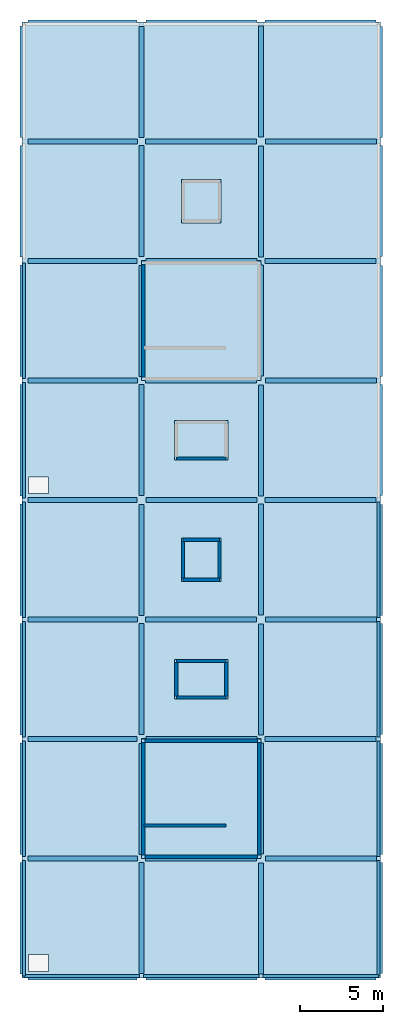
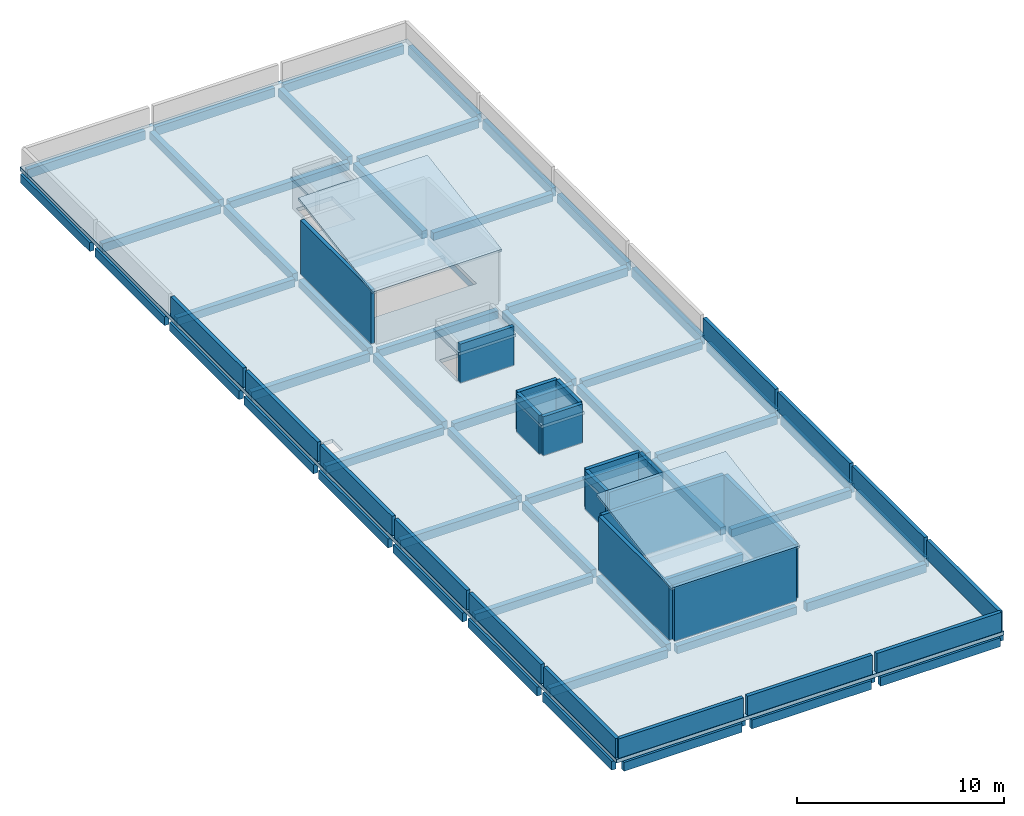
# One storey, part 1 of 3: 59 beams, 28 walls, 7 slabs.
"""IFC4 building model written with IfcOpenShell, lengths in metres."""

from ifc_helpers import new_model, si_unit, direction, frame, frame_2d, origin, origin_2d, place, context, subcontext, project, spatial, polyline, rectangle, outline, extrude, material, layer, layer_set, material_profile, profile_set, type_object, element, save


model = new_model("IFC4")

# Units and contexts
model_context = context("Model", 3, precision=1e-05, world=origin(), true_north=direction((0.0, 1.0)))
body_context = subcontext(model_context, "Body", "Model", "MODEL_VIEW")
ifc_project = project(units=[si_unit("LENGTHUNIT", "METRE"), si_unit("AREAUNIT", "SQUARE_METRE"), si_unit("VOLUMEUNIT", "CUBIC_METRE"), si_unit("PLANEANGLEUNIT", "RADIAN"), si_unit("MASSUNIT", "GRAM", prefix="KILO")], contexts=[model_context])

# Site, building, storey
site_placement = place(None, origin())
site = spatial("IfcSite", under=ifc_project, at=site_placement, CompositionType="ELEMENT")
building_placement = place(site_placement, origin())
building = spatial("IfcBuilding", under=site, at=building_placement, Name="Kangsadwip Square Police Headquarters", CompositionType="ELEMENT")
storey_placement = place(building_placement, frame((0.0, 0.0, 33.75)))
storey = spatial("IfcBuildingStorey", under=building, at=storey_placement, Name="ROOF", CompositionType="ELEMENT", Elevation=33.75)

# Beams
ifc_material_1 = material(Name="Concrete M35 (35 MPa)", Category="concrete")
ifc_material_profile_1 = material_profile(ifc_material_1, rectangle(XDim=0.300048828125, YDim=0.449951171875, at=origin_2d()), Name="RC BM 450X300")
ifc_profile_set_1 = profile_set([ifc_material_profile_1], Name="Concrete M35 (35 MPa)")
beam_type_1 = type_object("IfcBeamType", Name="RcBeam450x300", PredefinedType="BEAM", material=ifc_profile_set_1)
beam_1_placement = place(storey_placement, frame((7.449951171875, 43.199951171875, -0.445068359375), z_axis=(1.0, 0.0, 0.0), x_axis=(0.0, 1.0, 0.0)))
element("IfcBeam", 1, at=beam_1_placement, inside=storey, type_object=beam_type_1, Name="Beam BM-ROOF-X-01-06", PredefinedType="BEAM", context=body_context, shape_type="SweptSolid", body=[
    extrude(rectangle(XDim=0.300048828125, YDim=0.449951171875, at=origin_2d()), origin(), (0.0, 0.0, 1.0), 6.675048828125),
])
beam_2_placement = place(storey_placement, frame((0.35009765625, 50.39990234375, -0.445068359375), z_axis=(1.0, 0.0, 0.0), x_axis=(0.0, 1.0, 0.0)))
element("IfcBeam", 2, at=beam_2_placement, inside=storey, type_object=beam_type_1, Name="Beam BM-ROOF-X-00-07", PredefinedType="BEAM", context=body_context, shape_type="SweptSolid", body=[
    extrude(rectangle(XDim=0.300048828125, YDim=0.449951171875, at=origin_2d()), origin(), (0.0, 0.0, 1.0), 6.574951171875),
])
for number, where, z_axis, x_axis, name in (
    (3, (14.64990234375, 50.39990234375, -0.445068359375), (1.0, 0.0, 0.0), (0.0, 1.0, 0.0), "Beam BM-ROOF-X-02-07"),
    (4, (7.449951171875, 57.60009765625, -0.445068359375), (1.0, 0.0, 0.0), (0.0, 1.0, 0.0), "Beam BM-ROOF-X-01-08"),
):
    element("IfcBeam", number, at=place(storey_placement, frame(where, z_axis=z_axis, x_axis=x_axis)), inside=storey, type_object=beam_type_1, Name=name, PredefinedType="BEAM", context=body_context, shape_type="SweptSolid", body=[
        extrude(rectangle(XDim=0.300048828125, YDim=0.449951171875, at=origin_2d()), origin(), (0.0, 0.0, 1.0), 6.675048828125),
    ])
beam_3_placement = place(storey_placement, frame((0.35009765625, 64.800048828125, -0.445068359375), z_axis=(1.0, 0.0, 0.0), x_axis=(0.0, 1.0, 0.0)))
element("IfcBeam", 5, at=beam_3_placement, inside=storey, type_object=beam_type_1, Name="Beam BM-ROOF-X-00-09", PredefinedType="BEAM", context=body_context, shape_type="SweptSolid", body=[
    extrude(rectangle(XDim=0.300048828125, YDim=0.449951171875, at=origin_2d()), origin(), (0.0, 0.0, 1.0), 6.574951171875),
])
for number, where, z_axis, x_axis, name in (
    (6, (14.64990234375, 64.800048828125, -0.445068359375), (1.0, 0.0, 0.0), (0.0, 1.0, 0.0), "Beam BM-ROOF-X-02-09"),
    (7, (7.449951171875, 72.0, -0.445068359375), (1.0, 0.0, 0.0), (0.0, 1.0, 0.0), "Beam BM-ROOF-X-01-10"),
):
    element("IfcBeam", number, at=place(storey_placement, frame(where, z_axis=z_axis, x_axis=x_axis)), inside=storey, type_object=beam_type_1, Name=name, PredefinedType="BEAM", context=body_context, shape_type="SweptSolid", body=[
        extrude(rectangle(XDim=0.300048828125, YDim=0.449951171875, at=origin_2d()), origin(), (0.0, 0.0, 1.0), 6.675048828125),
    ])
beam_4_placement = place(storey_placement, frame((0.35009765625, 79.199951171875, -0.445068359375), z_axis=(1.0, 0.0, 0.0), x_axis=(0.0, 1.0, 0.0)))
element("IfcBeam", 8, at=beam_4_placement, inside=storey, type_object=beam_type_1, Name="Beam BM-ROOF-X-00-11", PredefinedType="BEAM", context=body_context, shape_type="SweptSolid", body=[
    extrude(rectangle(XDim=0.300048828125, YDim=0.449951171875, at=origin_2d()), origin(), (0.0, 0.0, 1.0), 6.574951171875),
])
for number, where, z_axis, x_axis, name in (
    (9, (14.64990234375, 79.199951171875, -0.445068359375), (1.0, 0.0, 0.0), (0.0, 1.0, 0.0), "Beam BM-ROOF-X-02-11"),
    (10, (7.449951171875, 86.39990234375, -0.445068359375), (1.0, 0.0, 0.0), (0.0, 1.0, 0.0), "Beam BM-ROOF-X-01-12"),
    (11, (7.199951171875, 43.449951171875, -0.445068359375), (0.0, 1.0, 0.0), (-1.0, 0.0, 0.0), "Beam BM-ROOF-Y-01-06"),
):
    element("IfcBeam", number, at=place(storey_placement, frame(where, z_axis=z_axis, x_axis=x_axis)), inside=storey, type_object=beam_type_1, Name=name, PredefinedType="BEAM", context=body_context, shape_type="SweptSolid", body=[
        extrude(rectangle(XDim=0.300048828125, YDim=0.449951171875, at=origin_2d()), origin(), (0.0, 0.0, 1.0), 6.675048828125),
    ])
beam_5_placement = place(storey_placement, frame((7.199951171875, 57.85009765625, -0.445068359375), z_axis=(0.0, 1.0, 0.0), x_axis=(-1.0, 0.0, 0.0)))
element("IfcBeam", 12, at=beam_5_placement, inside=storey, type_object=beam_type_1, Name="Beam BM-ROOF-Y-01-08", PredefinedType="BEAM", context=body_context, shape_type="SweptSolid", body=[
    extrude(rectangle(XDim=0.300048828125, YDim=0.449951171875, at=origin_2d()), origin(), (0.0, 0.0, 1.0), 6.6748046875),
])
for number, where, z_axis, x_axis, name in (
    (13, (7.199951171875, 72.25, -0.445068359375), (0.0, 1.0, 0.0), (-1.0, 0.0, 0.0), "Beam BM-ROOF-Y-01-10"),
    (14, (7.199951171875, 86.64990234375, -0.445068359375), (0.0, 1.0, 0.0), (-1.0, 0.0, 0.0), "Beam BM-ROOF-Y-01-12"),
    (15, (14.39990234375, 36.25, -0.445068359375), (0.0, 1.0, 0.0), (-1.0, 0.0, 0.0), "Beam BM-ROOF-Y-02-05"),
    (16, (14.39990234375, 50.64990234375, -0.445068359375), (0.0, 1.0, 0.0), (-1.0, 0.0, 0.0), "Beam BM-ROOF-Y-02-07"),
    (17, (14.39990234375, 65.050048828125, -0.445068359375), (0.0, 1.0, 0.0), (-1.0, 0.0, 0.0), "Beam BM-ROOF-Y-02-09"),
    (18, (14.39990234375, 79.449951171875, -0.445068359375), (0.0, 1.0, 0.0), (-1.0, 0.0, 0.0), "Beam BM-ROOF-Y-02-11"),
):
    element("IfcBeam", number, at=place(storey_placement, frame(where, z_axis=z_axis, x_axis=x_axis)), inside=storey, type_object=beam_type_1, Name=name, PredefinedType="BEAM", context=body_context, shape_type="SweptSolid", body=[
        extrude(rectangle(XDim=0.300048828125, YDim=0.449951171875, at=origin_2d()), origin(), (0.0, 0.0, 1.0), 6.675048828125),
    ])
ifc_material_2 = material(Name="Concrete M35 (35 MPa)", Category="concrete")
ifc_material_profile_2 = material_profile(ifc_material_2, rectangle(XDim=0.300048828125, YDim=0.5, at=origin_2d()), Name="RC BM 500X300")
ifc_profile_set_2 = profile_set([ifc_material_profile_2], Name="Concrete M35 (35 MPa)")
beam_type_2 = type_object("IfcBeamType", Name="RcBeam500x300", PredefinedType="BEAM", material=ifc_profile_set_2)
beam_6_placement = place(storey_placement, frame((0.35009765625, 43.199951171875, -0.469970703125), z_axis=(1.0, 0.0, 0.0), x_axis=(0.0, 1.0, 0.0)))
element("IfcBeam", 19, at=beam_6_placement, inside=storey, type_object=beam_type_2, Name="Beam BM-ROOF-X-00-06", PredefinedType="BEAM", context=body_context, shape_type="SweptSolid", body=[
    extrude(rectangle(XDim=0.300048828125, YDim=0.5, at=origin_2d()), origin(), (0.0, 0.0, 1.0), 6.599853515625),
])
beam_7_placement = place(storey_placement, frame((14.675048828125, 43.199951171875, -0.469970703125), z_axis=(1.0, 0.0, 0.0), x_axis=(0.0, 1.0, 0.0)))
element("IfcBeam", 20, at=beam_7_placement, inside=storey, type_object=beam_type_2, Name="Beam BM-ROOF-X-02-06", PredefinedType="BEAM", context=body_context, shape_type="SweptSolid", body=[
    extrude(rectangle(XDim=0.300048828125, YDim=0.5, at=origin_2d()), origin(), (0.0, 0.0, 1.0), 6.675048828125),
])
beam_8_placement = place(storey_placement, frame((7.47509765625, 50.39990234375, -0.469970703125), z_axis=(1.0, 0.0, 0.0), x_axis=(0.0, 1.0, 0.0)))
element("IfcBeam", 21, at=beam_8_placement, inside=storey, type_object=beam_type_2, Name="Beam BM-ROOF-X-01-07", PredefinedType="BEAM", context=body_context, shape_type="SweptSolid", body=[
    extrude(rectangle(XDim=0.300048828125, YDim=0.5, at=origin_2d()), origin(), (0.0, 0.0, 1.0), 6.6748046875),
])
beam_9_placement = place(storey_placement, frame((0.35009765625, 57.60009765625, -0.469970703125), z_axis=(1.0, 0.0, 0.0), x_axis=(0.0, 1.0, 0.0)))
element("IfcBeam", 22, at=beam_9_placement, inside=storey, type_object=beam_type_2, Name="Beam BM-ROOF-X-00-08", PredefinedType="BEAM", context=body_context, shape_type="SweptSolid", body=[
    extrude(rectangle(XDim=0.300048828125, YDim=0.5, at=origin_2d()), origin(), (0.0, 0.0, 1.0), 6.599853515625),
])
beam_10_placement = place(storey_placement, frame((14.675048828125, 57.60009765625, -0.469970703125), z_axis=(1.0, 0.0, 0.0), x_axis=(0.0, 1.0, 0.0)))
element("IfcBeam", 23, at=beam_10_placement, inside=storey, type_object=beam_type_2, Name="Beam BM-ROOF-X-02-08", PredefinedType="BEAM", context=body_context, shape_type="SweptSolid", body=[
    extrude(rectangle(XDim=0.300048828125, YDim=0.5, at=origin_2d()), origin(), (0.0, 0.0, 1.0), 6.675048828125),
])
beam_11_placement = place(storey_placement, frame((7.47509765625, 64.800048828125, -0.469970703125), z_axis=(1.0, 0.0, 0.0), x_axis=(0.0, 1.0, 0.0)))
element("IfcBeam", 24, at=beam_11_placement, inside=storey, type_object=beam_type_2, Name="Beam BM-ROOF-X-01-09", PredefinedType="BEAM", context=body_context, shape_type="SweptSolid", body=[
    extrude(rectangle(XDim=0.300048828125, YDim=0.5, at=origin_2d()), origin(), (0.0, 0.0, 1.0), 6.6748046875),
])
beam_12_placement = place(storey_placement, frame((0.35009765625, 72.0, -0.469970703125), z_axis=(1.0, 0.0, 0.0), x_axis=(0.0, 1.0, 0.0)))
element("IfcBeam", 25, at=beam_12_placement, inside=storey, type_object=beam_type_2, Name="Beam BM-ROOF-X-00-10", PredefinedType="BEAM", context=body_context, shape_type="SweptSolid", body=[
    extrude(rectangle(XDim=0.300048828125, YDim=0.5, at=origin_2d()), origin(), (0.0, 0.0, 1.0), 6.599853515625),
])
beam_13_placement = place(storey_placement, frame((14.675048828125, 72.0, -0.469970703125), z_axis=(1.0, 0.0, 0.0), x_axis=(0.0, 1.0, 0.0)))
element("IfcBeam", 26, at=beam_13_placement, inside=storey, type_object=beam_type_2, Name="Beam BM-ROOF-X-02-10", PredefinedType="BEAM", context=body_context, shape_type="SweptSolid", body=[
    extrude(rectangle(XDim=0.300048828125, YDim=0.5, at=origin_2d()), origin(), (0.0, 0.0, 1.0), 6.675048828125),
])
beam_14_placement = place(storey_placement, frame((7.47509765625, 79.199951171875, -0.469970703125), z_axis=(1.0, 0.0, 0.0), x_axis=(0.0, 1.0, 0.0)))
element("IfcBeam", 27, at=beam_14_placement, inside=storey, type_object=beam_type_2, Name="Beam BM-ROOF-X-01-11", PredefinedType="BEAM", context=body_context, shape_type="SweptSolid", body=[
    extrude(rectangle(XDim=0.300048828125, YDim=0.5, at=origin_2d()), origin(), (0.0, 0.0, 1.0), 6.6748046875),
])
beam_15_placement = place(storey_placement, frame((0.35009765625, 86.39990234375, -0.469970703125), z_axis=(1.0, 0.0, 0.0), x_axis=(0.0, 1.0, 0.0)))
element("IfcBeam", 28, at=beam_15_placement, inside=storey, type_object=beam_type_2, Name="Beam BM-ROOF-X-00-12", PredefinedType="BEAM", context=body_context, shape_type="SweptSolid", body=[
    extrude(rectangle(XDim=0.300048828125, YDim=0.5, at=origin_2d()), origin(), (0.0, 0.0, 1.0), 6.599853515625),
])
for number, where, z_axis, x_axis, name in (
    (29, (14.675048828125, 86.39990234375, -0.469970703125), (1.0, 0.0, 0.0), (0.0, 1.0, 0.0), "Beam BM-ROOF-X-02-12"),
    (30, (7.199951171875, 36.27490234375, -0.469970703125), (0.0, 1.0, 0.0), (-1.0, 0.0, 0.0), "Beam BM-ROOF-Y-01-05"),
    (31, (7.199951171875, 50.675048828125, -0.469970703125), (0.0, 1.0, 0.0), (-1.0, 0.0, 0.0), "Beam BM-ROOF-Y-01-07"),
    (32, (7.199951171875, 65.074951171875, -0.469970703125), (0.0, 1.0, 0.0), (-1.0, 0.0, 0.0), "Beam BM-ROOF-Y-01-09"),
):
    element("IfcBeam", number, at=place(storey_placement, frame(where, z_axis=z_axis, x_axis=x_axis)), inside=storey, type_object=beam_type_2, Name=name, PredefinedType="BEAM", context=body_context, shape_type="SweptSolid", body=[
        extrude(rectangle(XDim=0.300048828125, YDim=0.5, at=origin_2d()), origin(), (0.0, 0.0, 1.0), 6.675048828125),
    ])
for number, where, z_axis, x_axis, name in (
    (33, (7.199951171875, 79.47509765625, -0.469970703125), (0.0, 1.0, 0.0), (-1.0, 0.0, 0.0), "Beam BM-ROOF-Y-01-11"),
    (34, (14.39990234375, 43.47509765625, -0.469970703125), (0.0, 1.0, 0.0), (-1.0, 0.0, 0.0), "Beam BM-ROOF-Y-02-06"),
):
    element("IfcBeam", number, at=place(storey_placement, frame(where, z_axis=z_axis, x_axis=x_axis)), inside=storey, type_object=beam_type_2, Name=name, PredefinedType="BEAM", context=body_context, shape_type="SweptSolid", body=[
        extrude(rectangle(XDim=0.300048828125, YDim=0.5, at=origin_2d()), origin(), (0.0, 0.0, 1.0), 6.6748046875),
    ])
for number, where, z_axis, x_axis, name in (
    (35, (14.39990234375, 57.875, -0.469970703125), (0.0, 1.0, 0.0), (-1.0, 0.0, 0.0), "Beam BM-ROOF-Y-02-08"),
    (36, (14.39990234375, 72.27490234375, -0.469970703125), (0.0, 1.0, 0.0), (-1.0, 0.0, 0.0), "Beam BM-ROOF-Y-02-10"),
    (37, (14.39990234375, 86.675048828125, -0.469970703125), (0.0, 1.0, 0.0), (-1.0, 0.0, 0.0), "Beam BM-ROOF-Y-02-12"),
):
    element("IfcBeam", number, at=place(storey_placement, frame(where, z_axis=z_axis, x_axis=x_axis)), inside=storey, type_object=beam_type_2, Name=name, PredefinedType="BEAM", context=body_context, shape_type="SweptSolid", body=[
        extrude(rectangle(XDim=0.300048828125, YDim=0.5, at=origin_2d()), origin(), (0.0, 0.0, 1.0), 6.675048828125),
    ])
ifc_material_3 = material(Name="Concrete M35 (35 MPa)", Category="concrete")
ifc_material_profile_3 = material_profile(ifc_material_3, rectangle(XDim=0.25, YDim=0.52001953125, at=origin_2d()), Name="RC SPN 520X250")
ifc_profile_set_3 = profile_set([ifc_material_profile_3], Name="Concrete M35 (35 MPa)")
beam_type_3 = type_object("IfcBeamType", Name="RcSpandrel520x250", PredefinedType="SPANDREL", material=ifc_profile_set_3)
beam_16_placement = place(storey_placement, frame((0.35009765625, 36.0, -0.47998046875), z_axis=(1.0, 0.0, 0.0), x_axis=(0.0, 1.0, 0.0)))
element("IfcBeam", 38, at=beam_16_placement, inside=storey, type_object=beam_type_3, Name="Beam BM-ROOF-X-00-05", PredefinedType="SPANDREL", context=body_context, shape_type="SweptSolid", body=[
    extrude(rectangle(XDim=0.25, YDim=0.52001953125, at=origin_2d()), origin(), (0.0, 0.0, 1.0), 6.574951171875),
])
beam_17_placement = place(storey_placement, frame((7.47509765625, 36.0, -0.47998046875), z_axis=(1.0, 0.0, 0.0), x_axis=(0.0, 1.0, 0.0)))
element("IfcBeam", 39, at=beam_17_placement, inside=storey, type_object=beam_type_3, Name="Beam BM-ROOF-X-01-05", PredefinedType="SPANDREL", context=body_context, shape_type="SweptSolid", body=[
    extrude(rectangle(XDim=0.25, YDim=0.52001953125, at=origin_2d()), origin(), (0.0, 0.0, 1.0), 6.6748046875),
])
beam_18_placement = place(storey_placement, frame((14.64990234375, 36.0, -0.47998046875), z_axis=(1.0, 0.0, 0.0), x_axis=(0.0, 1.0, 0.0)))
element("IfcBeam", 40, at=beam_18_placement, inside=storey, type_object=beam_type_3, Name="Beam BM-ROOF-X-02-05", PredefinedType="SPANDREL", context=body_context, shape_type="SweptSolid", body=[
    extrude(rectangle(XDim=0.25, YDim=0.52001953125, at=origin_2d()), origin(), (0.0, 0.0, 1.0), 6.675048828125),
])
beam_19_placement = place(storey_placement, frame((0.35009765625, 93.60009765625, -0.47998046875), z_axis=(1.0, 0.0, 0.0), x_axis=(0.0, 1.0, 0.0)))
element("IfcBeam", 41, at=beam_19_placement, inside=storey, type_object=beam_type_3, Name="Beam BM-ROOF-X-00-13", PredefinedType="SPANDREL", context=body_context, shape_type="SweptSolid", body=[
    extrude(rectangle(XDim=0.25, YDim=0.52001953125, at=origin_2d()), origin(), (0.0, 0.0, 1.0), 6.574951171875),
])
beam_20_placement = place(storey_placement, frame((7.47509765625, 93.60009765625, -0.47998046875), z_axis=(1.0, 0.0, 0.0), x_axis=(0.0, 1.0, 0.0)))
element("IfcBeam", 42, at=beam_20_placement, inside=storey, type_object=beam_type_3, Name="Beam BM-ROOF-X-01-13", PredefinedType="SPANDREL", context=body_context, shape_type="SweptSolid", body=[
    extrude(rectangle(XDim=0.25, YDim=0.52001953125, at=origin_2d()), origin(), (0.0, 0.0, 1.0), 6.6748046875),
])
beam_21_placement = place(storey_placement, frame((14.64990234375, 93.60009765625, -0.47998046875), z_axis=(1.0, 0.0, 0.0), x_axis=(0.0, 1.0, 0.0)))
element("IfcBeam", 43, at=beam_21_placement, inside=storey, type_object=beam_type_3, Name="Beam BM-ROOF-X-02-13", PredefinedType="SPANDREL", context=body_context, shape_type="SweptSolid", body=[
    extrude(rectangle(XDim=0.25, YDim=0.52001953125, at=origin_2d()), origin(), (0.0, 0.0, 1.0), 6.675048828125),
])
for number, where, z_axis, x_axis, name in (
    (44, (0.0, 36.25, -0.47998046875), (0.0, 1.0, 0.0), (-1.0, 0.0, 0.0), "Beam BM-ROOF-Y-00-05"),
    (45, (0.0, 43.449951171875, -0.47998046875), (0.0, 1.0, 0.0), (-1.0, 0.0, 0.0), "Beam BM-ROOF-Y-00-06"),
):
    element("IfcBeam", number, at=place(storey_placement, frame(where, z_axis=z_axis, x_axis=x_axis)), inside=storey, type_object=beam_type_3, Name=name, PredefinedType="SPANDREL", context=body_context, shape_type="SweptSolid", body=[
        extrude(rectangle(XDim=0.25, YDim=0.52001953125, at=origin_2d()), origin(), (0.0, 0.0, 1.0), 6.699951171875),
    ])
beam_22_placement = place(storey_placement, frame((0.0, 50.64990234375, -0.47998046875), z_axis=(0.0, 1.0, 0.0), x_axis=(-1.0, 0.0, 0.0)))
element("IfcBeam", 46, at=beam_22_placement, inside=storey, type_object=beam_type_3, Name="Beam BM-ROOF-Y-00-07", PredefinedType="SPANDREL", context=body_context, shape_type="SweptSolid", body=[
    extrude(rectangle(XDim=0.25, YDim=0.52001953125, at=origin_2d()), origin(), (0.0, 0.0, 1.0), 6.7001953125),
])
for number, where, z_axis, x_axis, name in (
    (47, (0.0, 57.85009765625, -0.47998046875), (0.0, 1.0, 0.0), (-1.0, 0.0, 0.0), "Beam BM-ROOF-Y-00-08"),
    (48, (0.0, 65.050048828125, -0.47998046875), (0.0, 1.0, 0.0), (-1.0, 0.0, 0.0), "Beam BM-ROOF-Y-00-09"),
    (49, (0.0, 72.25, -0.47998046875), (0.0, 1.0, 0.0), (-1.0, 0.0, 0.0), "Beam BM-ROOF-Y-00-10"),
    (50, (0.0, 79.449951171875, -0.47998046875), (0.0, 1.0, 0.0), (-1.0, 0.0, 0.0), "Beam BM-ROOF-Y-00-11"),
):
    element("IfcBeam", number, at=place(storey_placement, frame(where, z_axis=z_axis, x_axis=x_axis)), inside=storey, type_object=beam_type_3, Name=name, PredefinedType="SPANDREL", context=body_context, shape_type="SweptSolid", body=[
        extrude(rectangle(XDim=0.25, YDim=0.52001953125, at=origin_2d()), origin(), (0.0, 0.0, 1.0), 6.699951171875),
    ])
beam_23_placement = place(storey_placement, frame((0.0, 86.64990234375, -0.47998046875), z_axis=(0.0, 1.0, 0.0), x_axis=(-1.0, 0.0, 0.0)))
element("IfcBeam", 51, at=beam_23_placement, inside=storey, type_object=beam_type_3, Name="Beam BM-ROOF-Y-00-12", PredefinedType="SPANDREL", context=body_context, shape_type="SweptSolid", body=[
    extrude(rectangle(XDim=0.25, YDim=0.52001953125, at=origin_2d()), origin(), (0.0, 0.0, 1.0), 6.7001953125),
])
for number, where, z_axis, x_axis, name in (
    (52, (21.60009765625, 36.27490234375, -0.47998046875), (0.0, 1.0, 0.0), (-1.0, 0.0, 0.0), "Beam BM-ROOF-Y-03-05"),
    (53, (21.60009765625, 43.449951171875, -0.47998046875), (0.0, 1.0, 0.0), (-1.0, 0.0, 0.0), "Beam BM-ROOF-Y-03-06"),
    (54, (21.60009765625, 50.675048828125, -0.47998046875), (0.0, 1.0, 0.0), (-1.0, 0.0, 0.0), "Beam BM-ROOF-Y-03-07"),
):
    element("IfcBeam", number, at=place(storey_placement, frame(where, z_axis=z_axis, x_axis=x_axis)), inside=storey, type_object=beam_type_3, Name=name, PredefinedType="SPANDREL", context=body_context, shape_type="SweptSolid", body=[
        extrude(rectangle(XDim=0.25, YDim=0.52001953125, at=origin_2d()), origin(), (0.0, 0.0, 1.0), 6.675048828125),
    ])
beam_24_placement = place(storey_placement, frame((21.60009765625, 57.85009765625, -0.47998046875), z_axis=(0.0, 1.0, 0.0), x_axis=(-1.0, 0.0, 0.0)))
element("IfcBeam", 55, at=beam_24_placement, inside=storey, type_object=beam_type_3, Name="Beam BM-ROOF-Y-03-08", PredefinedType="SPANDREL", context=body_context, shape_type="SweptSolid", body=[
    extrude(rectangle(XDim=0.25, YDim=0.52001953125, at=origin_2d()), origin(), (0.0, 0.0, 1.0), 6.6748046875),
])
for number, where, z_axis, x_axis, name in (
    (56, (21.60009765625, 65.074951171875, -0.47998046875), (0.0, 1.0, 0.0), (-1.0, 0.0, 0.0), "Beam BM-ROOF-Y-03-09"),
    (57, (21.60009765625, 72.25, -0.47998046875), (0.0, 1.0, 0.0), (-1.0, 0.0, 0.0), "Beam BM-ROOF-Y-03-10"),
):
    element("IfcBeam", number, at=place(storey_placement, frame(where, z_axis=z_axis, x_axis=x_axis)), inside=storey, type_object=beam_type_3, Name=name, PredefinedType="SPANDREL", context=body_context, shape_type="SweptSolid", body=[
        extrude(rectangle(XDim=0.25, YDim=0.52001953125, at=origin_2d()), origin(), (0.0, 0.0, 1.0), 6.675048828125),
    ])
beam_25_placement = place(storey_placement, frame((21.60009765625, 79.47509765625, -0.47998046875), z_axis=(0.0, 1.0, 0.0), x_axis=(-1.0, 0.0, 0.0)))
element("IfcBeam", 58, at=beam_25_placement, inside=storey, type_object=beam_type_3, Name="Beam BM-ROOF-Y-03-11", PredefinedType="SPANDREL", context=body_context, shape_type="SweptSolid", body=[
    extrude(rectangle(XDim=0.25, YDim=0.52001953125, at=origin_2d()), origin(), (0.0, 0.0, 1.0), 6.6748046875),
])
beam_26_placement = place(storey_placement, frame((21.60009765625, 86.64990234375, -0.47998046875), z_axis=(0.0, 1.0, 0.0), x_axis=(-1.0, 0.0, 0.0)))
element("IfcBeam", 59, at=beam_26_placement, inside=storey, type_object=beam_type_3, Name="Beam BM-ROOF-Y-03-12", PredefinedType="SPANDREL", context=body_context, shape_type="SweptSolid", body=[
    extrude(rectangle(XDim=0.25, YDim=0.52001953125, at=origin_2d()), origin(), (0.0, 0.0, 1.0), 6.675048828125),
])

# Slabs
ifc_material_4 = material(Name="Concrete M35 (35 MPa)", Category="concrete")
ifc_layer_1 = layer(ifc_material_4, 0.215087890625)
ifc_layer_set_1 = layer_set([ifc_layer_1], Name="Concrete M35 (35 MPa)")
slab_type_1 = type_object("IfcSlabType", Name="FlatRoofSlab180", PredefinedType="ROOF", material=ifc_layer_set_1)
slab_1_placement = place(storey_placement, frame((0.0, 0.0, -0.215087890625)))
element("IfcSlab", 60, at=slab_1_placement, inside=storey, type_object=slab_type_1, Name="Operations Wing Main Crown Roof SL-ROOF-075", PredefinedType="ROOF", context=body_context, shape_type="SweptSolid", body=[
    extrude(outline(polyline([(0.0, 36.0), (0.0, 93.60009765625), (21.60009765625, 93.60009765625), (21.60009765625, 36.0), (0.0, 36.0)]), holes=[polyline([(0.39990234375, 37.39990234375), (0.39990234375, 36.39990234375), (1.60009765625, 36.39990234375), (1.60009765625, 37.39990234375), (0.39990234375, 37.39990234375)]), polyline([(14.179931640625, 50.179931640625), (7.419921875, 50.179931640625), (7.419921875, 45.280029296875), (14.179931640625, 45.280029296875), (14.179931640625, 50.179931640625)]), polyline([(12.199951171875, 55.0), (9.39990234375, 55.0), (9.39990234375, 53.0), (12.199951171875, 53.0), (12.199951171875, 55.0)]), polyline([(11.800048828125, 62.300048828125), (9.800048828125, 62.300048828125), (9.800048828125, 60.10009765625), (11.800048828125, 60.10009765625), (11.800048828125, 62.300048828125)]), polyline([(0.39990234375, 66.199951171875), (0.39990234375, 65.199951171875), (1.60009765625, 65.199951171875), (1.60009765625, 66.199951171875), (0.39990234375, 66.199951171875)]), polyline([(9.39990234375, 69.39990234375), (9.39990234375, 67.39990234375), (12.199951171875, 67.39990234375), (12.199951171875, 69.39990234375), (9.39990234375, 69.39990234375)]), polyline([(14.179931640625, 74.080078125), (14.179931640625, 78.97998046875), (7.419921875, 78.97998046875), (7.419921875, 74.080078125), (14.179931640625, 74.080078125)]), polyline([(11.800048828125, 83.89990234375), (9.800048828125, 83.89990234375), (9.800048828125, 81.699951171875), (11.800048828125, 81.699951171875), (11.800048828125, 83.89990234375)])]), origin(), (0.0, 0.0, 1.0), 0.215087890625),
])
slab_2_placement = place(storey_placement, frame((0.0, 0.0, 1.64990234375)))
element("IfcSlab", 61, at=slab_2_placement, inside=storey, type_object=slab_type_1, Name="Lift Overrun Roof Cap LF-01", PredefinedType="ROOF", context=body_context, shape_type="SweptSolid", body=[
    extrude(outline(polyline([(9.199951171875, 52.800048828125), (12.39990234375, 52.800048828125), (12.39990234375, 55.199951171875), (9.199951171875, 55.199951171875), (9.199951171875, 52.800048828125)])), origin(), (0.0, 0.0, 1.0), 0.18017578125),
])
slab_3_placement = place(storey_placement, frame((0.0, 0.0, 1.64990234375)))
element("IfcSlab", 62, at=slab_3_placement, inside=storey, type_object=slab_type_1, Name="Lift Overrun Roof Cap LF-02", PredefinedType="ROOF", context=body_context, shape_type="SweptSolid", body=[
    extrude(outline(polyline([(9.199951171875, 67.199951171875), (12.39990234375, 67.199951171875), (12.39990234375, 69.60009765625), (9.199951171875, 69.60009765625), (9.199951171875, 67.199951171875)])), origin(), (0.0, 0.0, 1.0), 0.18017578125),
])
slab_4_placement = place(storey_placement, frame((0.0, 0.0, 1.64990234375)))
element("IfcSlab", 63, at=slab_4_placement, inside=storey, type_object=slab_type_1, Name="Lift Overrun Roof Cap LP-01", PredefinedType="ROOF", context=body_context, shape_type="SweptSolid", body=[
    extrude(outline(polyline([(9.60009765625, 59.89990234375), (12.0, 59.89990234375), (12.0, 62.5), (9.60009765625, 62.5), (9.60009765625, 59.89990234375)])), origin(), (0.0, 0.0, 1.0), 0.18017578125),
])
slab_5_placement = place(storey_placement, frame((0.0, 0.0, 1.64990234375)))
element("IfcSlab", 64, at=slab_5_placement, inside=storey, type_object=slab_type_1, Name="Lift Overrun Roof Cap LP-02", PredefinedType="ROOF", context=body_context, shape_type="SweptSolid", body=[
    extrude(outline(polyline([(9.60009765625, 81.5), (12.0, 81.5), (12.0, 84.10009765625), (9.60009765625, 84.10009765625), (9.60009765625, 81.5)])), origin(), (0.0, 0.0, 1.0), 0.18017578125),
])
ifc_material_5 = material(Name="Concrete M35 (35 MPa)", Category="concrete")
ifc_layer_2 = layer(ifc_material_5, 0.14990234375)
ifc_layer_set_2 = layer_set([ifc_layer_2], Name="Concrete M35 (35 MPa)")
slab_type_2 = type_object("IfcSlabType", Name="StairHeadhouseRoof150", PredefinedType="ROOF", material=ifc_layer_set_2)
for number, where, z_axis, x_axis, name in (
    (65, (7.199951171875, 43.199951171875, 3.199951171875), (0.0, -0.164393563414, 0.986394827799), (1.0, 0.0, 0.0), "Stair Headhouse Roof ST-01"),
    (66, (7.199951171875, 72.0, 3.199951171875), (0.0, -0.164393563414, 0.986394827799), (1.0, 0.0, 0.0), "Stair Headhouse Roof ST-02"),
):
    element("IfcSlab", number, at=place(storey_placement, frame(where, z_axis=z_axis, x_axis=x_axis)), inside=storey, type_object=slab_type_2, Name=name, PredefinedType="ROOF", context=body_context, shape_type="SweptSolid", body=[
        extrude(outline(polyline([(0.0, 0.0), (7.199951171875, 0.0), (7.199951171875, 7.299258845408099), (0.0, 7.299258845408099), (0.0, 0.0)])), origin(), (0.0, 0.0, -1.0), 0.14990234375),
    ])

# Walls
ifc_material_6 = material(Name="Concrete M40 (40 MPa)", Category="concrete")
ifc_layer_3 = layer(ifc_material_6, 0.199951171875)
ifc_layer_set_3 = layer_set([ifc_layer_3], Name="Concrete M40 (40 MPa)")
wall_type_1 = type_object("IfcWallType", Name="CoreShearWall200", PredefinedType="SHEAR", material=ifc_layer_set_3)
for number, where, z_axis, x_axis, name in (
    (67, (7.39990234375, 43.300048828125, 0.0), (0.0, 0.0, 1.0), (1.0, 0.0, 0.0), "Interior Wall WI-ROOF-0045"),
    (68, (7.39990234375, 50.300048828125, 0.0), (0.0, 0.0, 1.0), (1.0, 0.0, 0.0), "Interior Wall WI-ROOF-0046"),
    (69, (7.300048828125, 43.39990234375, 0.0), (0.0, 0.0, 1.0), (0.0, 1.0, 0.0), "Interior Wall WI-ROOF-0047"),
    (70, (14.300048828125, 43.39990234375, 0.0), (0.0, 0.0, 1.0), (0.0, 1.0, 0.0), "Interior Wall WI-ROOF-0048"),
    (71, (7.300048828125, 72.199951171875, 0.0), (0.0, 0.0, 1.0), (0.0, 1.0, 0.0), "Interior Wall WI-ROOF-0087"),
):
    element("IfcWall", number, at=place(storey_placement, frame(where, z_axis=z_axis, x_axis=x_axis)), inside=storey, type_object=wall_type_1, Name=name, PredefinedType="SHEAR", context=body_context, shape_type="SweptSolid", body=[
        extrude(rectangle(XDim=6.800048828125, YDim=0.199951171875, at=frame_2d((3.39990234375, 0.0))), origin(), (0.0, 0.0, 1.0), 3.199951171875),
    ])
wall_1_placement = place(storey_placement, frame((7.35009765625, 45.179931640625, 0.0), z_axis=(0.0, 0.0, 1.0), x_axis=(1.0, 0.0, 0.0)))
element("IfcWall", 72, at=wall_1_placement, inside=storey, type_object=wall_type_1, Name="Interior Wall WI-ROOF-0229", PredefinedType="SHEAR", context=body_context, shape_type="SweptSolid", body=[
    extrude(rectangle(XDim=4.949951171875, YDim=0.199951171875, at=frame_2d((2.47509765625, 0.0))), origin(), (0.0, 0.0, 1.0), 2.300048828125),
])
for number, where, z_axis, x_axis, name in (
    (73, (9.300048828125, 52.89990234375, 0.0), (0.0, 0.0, 1.0), (1.0, 0.0, 0.0), "Interior Wall WI-ROOF-0267"),
    (74, (9.300048828125, 55.10009765625, 0.0), (0.0, 0.0, 1.0), (1.0, 0.0, 0.0), "Interior Wall WI-ROOF-0268"),
):
    element("IfcWall", number, at=place(storey_placement, frame(where, z_axis=z_axis, x_axis=x_axis)), inside=storey, type_object=wall_type_1, Name=name, PredefinedType="SHEAR", context=body_context, shape_type="SweptSolid", body=[
        extrude(rectangle(XDim=3.0, YDim=0.199951171875, at=frame_2d((1.5, 0.0))), origin(), (0.0, 0.0, 1.0), 2.300048828125),
    ])
for number, where, z_axis, x_axis, name in (
    (75, (9.300048828125, 53.0, 0.0), (0.0, 0.0, 1.0), (0.0, 1.0, 0.0), "Interior Wall WI-ROOF-0269"),
    (76, (12.300048828125, 53.0, 0.0), (0.0, 0.0, 1.0), (0.0, 1.0, 0.0), "Interior Wall WI-ROOF-0270"),
):
    element("IfcWall", number, at=place(storey_placement, frame(where, z_axis=z_axis, x_axis=x_axis)), inside=storey, type_object=wall_type_1, Name=name, PredefinedType="SHEAR", context=body_context, shape_type="SweptSolid", body=[
        extrude(rectangle(XDim=2.0, YDim=0.199951171875, at=frame_2d((1.0, 0.0))), origin(), (0.0, 0.0, 1.0), 2.300048828125),
    ])
wall_2_placement = place(storey_placement, frame((9.300048828125, 67.300048828125, 0.0), z_axis=(0.0, 0.0, 1.0), x_axis=(1.0, 0.0, 0.0)))
element("IfcWall", 77, at=wall_2_placement, inside=storey, type_object=wall_type_1, Name="Interior Wall WI-ROOF-0307", PredefinedType="SHEAR", context=body_context, shape_type="SweptSolid", body=[
    extrude(rectangle(XDim=3.0, YDim=0.199951171875, at=frame_2d((1.5, 0.0))), origin(), (0.0, 0.0, 1.0), 2.300048828125),
])
for number, where, z_axis, x_axis, name in (
    (78, (9.699951171875, 60.0, 0.0), (0.0, 0.0, 1.0), (1.0, 0.0, 0.0), "Interior Wall WI-ROOF-0383"),
    (79, (9.699951171875, 62.39990234375, 0.0), (0.0, 0.0, 1.0), (1.0, 0.0, 0.0), "Interior Wall WI-ROOF-0384"),
    (80, (9.699951171875, 60.10009765625, 0.0), (0.0, 0.0, 1.0), (0.0, 1.0, 0.0), "Interior Wall WI-ROOF-0385"),
    (81, (11.89990234375, 60.10009765625, 0.0), (0.0, 0.0, 1.0), (0.0, 1.0, 0.0), "Interior Wall WI-ROOF-0386"),
):
    element("IfcWall", number, at=place(storey_placement, frame(where, z_axis=z_axis, x_axis=x_axis)), inside=storey, type_object=wall_type_1, Name=name, PredefinedType="SHEAR", context=body_context, shape_type="SweptSolid", body=[
        extrude(rectangle(XDim=2.199951171875, YDim=0.199951171875, at=frame_2d((1.10009765625, 0.0))), origin(), (0.0, 0.0, 1.0), 2.300048828125),
    ])
ifc_material_7 = material(Name="Concrete M35 (35 MPa)", Category="concrete")
ifc_layer_4 = layer(ifc_material_7, 0.199951171875)
ifc_layer_set_4 = layer_set([ifc_layer_4], Name="Concrete M35 (35 MPa)")
wall_type_2 = type_object("IfcWallType", Name="RoofParapetWall200", PredefinedType="PARAPET", material=ifc_layer_set_4)
for number, where, z_axis, x_axis, name in (
    (82, (0.1201171875, 36.1201171875, 0.0), (0.0, 0.0, 1.0), (1.0, 0.0, 0.0), "Exterior Wall WE-ROOF-673"),
    (83, (7.320068359375, 36.1201171875, 0.0), (0.0, 0.0, 1.0), (1.0, 0.0, 0.0), "Exterior Wall WE-ROOF-675"),
    (84, (14.52001953125, 36.1201171875, 0.0), (0.0, 0.0, 1.0), (1.0, 0.0, 0.0), "Exterior Wall WE-ROOF-677"),
    (85, (21.47998046875, 36.1201171875, 0.0), (0.0, 0.0, 1.0), (0.0, 1.0, 0.0), "Exterior Wall WE-ROOF-678"),
    (86, (0.1201171875, 36.1201171875, 0.0), (0.0, 0.0, 1.0), (0.0, 1.0, 0.0), "Exterior Wall WE-ROOF-679"),
    (87, (21.47998046875, 43.320068359375, 0.0), (0.0, 0.0, 1.0), (0.0, 1.0, 0.0), "Exterior Wall WE-ROOF-680"),
    (88, (0.1201171875, 43.320068359375, 0.0), (0.0, 0.0, 1.0), (0.0, 1.0, 0.0), "Exterior Wall WE-ROOF-681"),
    (89, (21.47998046875, 50.52001953125, 0.0), (0.0, 0.0, 1.0), (0.0, 1.0, 0.0), "Exterior Wall WE-ROOF-682"),
    (90, (0.1201171875, 50.52001953125, 0.0), (0.0, 0.0, 1.0), (0.0, 1.0, 0.0), "Exterior Wall WE-ROOF-683"),
    (91, (21.47998046875, 57.719970703125, 0.0), (0.0, 0.0, 1.0), (0.0, 1.0, 0.0), "Exterior Wall WE-ROOF-684"),
    (92, (0.1201171875, 57.719970703125, 0.0), (0.0, 0.0, 1.0), (0.0, 1.0, 0.0), "Exterior Wall WE-ROOF-685"),
    (93, (0.1201171875, 64.919921875, 0.0), (0.0, 0.0, 1.0), (0.0, 1.0, 0.0), "Exterior Wall WE-ROOF-687"),
    (94, (0.1201171875, 72.1201171875, 0.0), (0.0, 0.0, 1.0), (0.0, 1.0, 0.0), "Exterior Wall WE-ROOF-689"),
):
    element("IfcWall", number, at=place(storey_placement, frame(where, z_axis=z_axis, x_axis=x_axis)), inside=storey, type_object=wall_type_2, Name=name, PredefinedType="PARAPET", context=body_context, shape_type="SweptSolid", body=[
        extrude(rectangle(XDim=6.9599609375, YDim=0.199951171875, at=frame_2d((3.47998046875, 0.0))), origin(), (0.0, 0.0, 1.0), 1.14990234375),
    ])

save(model, "model.ifc")
